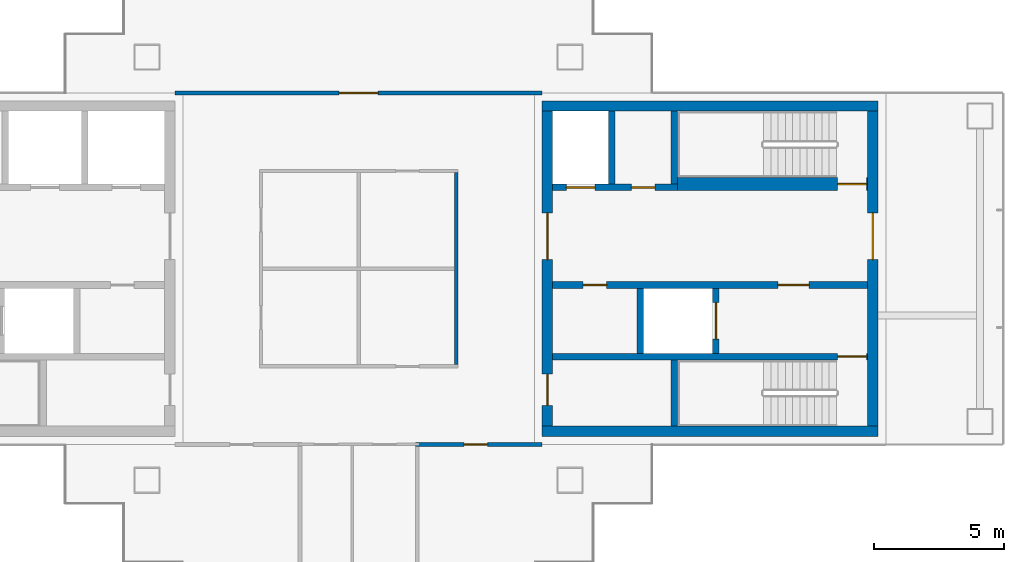
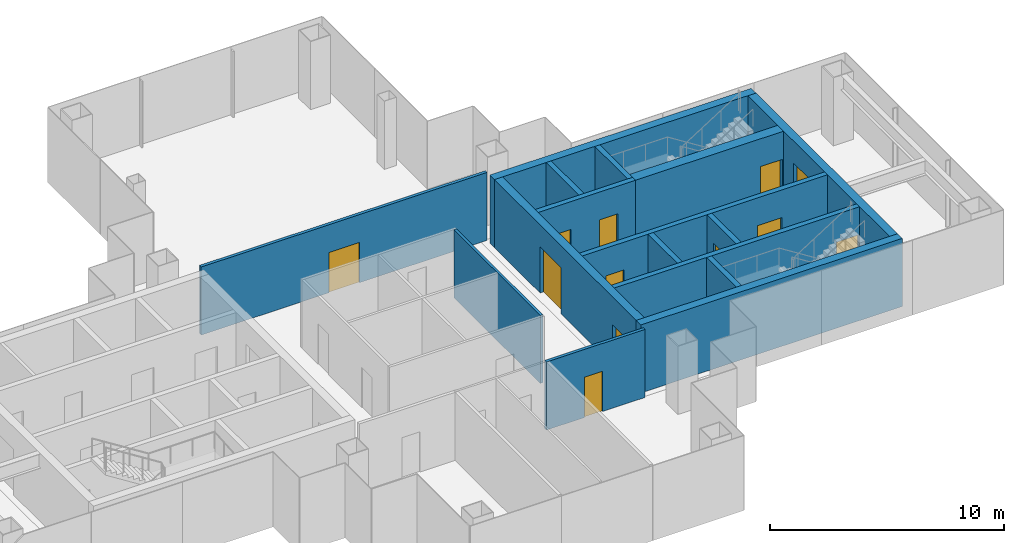
# One storey, part 11 of 15: 16 walls, 12 doors, 12 openings.
"""IFC4 building model written with IfcOpenShell, lengths in metres."""

from ifc_helpers import new_model, si_unit, direction, frame, frame_2d, origin, place, context, subcontext, project, spatial, rectangle, extrude, material, layer, layer_set, type_object, element, fill, save


model = new_model("IFC4")

# Units and contexts
model_context = context("Model", 3, precision=1e-05, world=origin(), true_north=direction((0.0, 1.0)))
body_context = subcontext(model_context, "Body", "Model", "MODEL_VIEW")
ifc_project = project(units=[si_unit("LENGTHUNIT", "METRE"), si_unit("AREAUNIT", "SQUARE_METRE"), si_unit("VOLUMEUNIT", "CUBIC_METRE"), si_unit("PLANEANGLEUNIT", "RADIAN"), si_unit("MASSUNIT", "GRAM", prefix="KILO")], contexts=[model_context])

# Site, building, storey
site_placement = place(None, origin())
site = spatial("IfcSite", under=ifc_project, at=site_placement, CompositionType="ELEMENT")
building_placement = place(site_placement, origin())
building = spatial("IfcBuilding", under=site, at=building_placement, Name="Shamsa Quay Exchange Towers", CompositionType="ELEMENT")
storey_placement = place(building_placement, frame((0.0, 0.0, 202.199951171875)))
storey = spatial("IfcBuildingStorey", under=building, at=storey_placement, Name="L48", CompositionType="ELEMENT", Elevation=202.199951171875)

# Walls
ifc_material_1 = material(Name="Concrete C60/75", Category="concrete")
ifc_layer_1 = layer(ifc_material_1, 0.39990234375)
ifc_layer_set_1 = layer_set([ifc_layer_1], Name="CORE WALL 400 C60/75")
wall_type_1 = type_object("IfcWallType", Name="CORE WALL 400 C60/75", PredefinedType="SHEAR", material=ifc_layer_set_1)
for number, where, z_axis, x_axis, name in (
    (1, (53.699951171875, -6.25, 0.0), (0.0, 0.0, 1.0), (-1.0, 0.0, 0.0), "Core wall T2B-R22-PS"),
    (2, (53.699951171875, 6.25, 0.0), (0.0, 0.0, 1.0), (-1.0, 0.0, 0.0), "Core wall T2B-R22-PN"),
):
    element("IfcWall", number, at=place(storey_placement, frame(where, z_axis=z_axis, x_axis=x_axis)), inside=storey, type_object=wall_type_1, Name=name, PredefinedType="SHEAR", context=body_context, shape_type="SweptSolid", body=[
        extrude(rectangle(XDim=12.89990234375, YDim=0.39990234375, at=frame_2d((6.449951171875, 0.0))), origin(), (0.0, 0.0, 1.0), 3.550048828125),
    ])

# Wall, opening, door
wall_1_placement = place(storey_placement, frame((53.5, -6.050048828125, 0.0), z_axis=(0.0, 0.0, 1.0), x_axis=(0.0, 1.0, 0.0)))
wall_1 = element("IfcWall", 3, at=wall_1_placement, inside=storey, type_object=wall_type_1, Name="Core wall T2B-R22-PF", PredefinedType="SHEAR", context=body_context, shape_type="SweptSolid", body=[
    extrude(rectangle(XDim=12.10009765625, YDim=0.39990234375, at=frame_2d((6.050048828125, 0.0))), origin(), (0.0, 0.0, 1.0), 3.550048828125),
])
opening_1_placement = place(wall_1_placement, frame((6.39990234375, 0.0, 0.0)))
opening_1 = element("IfcOpeningElement", 4, at=opening_1_placement, cuts=wall_1, Name="Opening T2B-R22-LBD01", PredefinedType="OPENING", context=body_context, shape_type="SweptSolid", body=[
    extrude(rectangle(XDim=1.800048828125, YDim=2.39990234375, at=frame_2d((0.89990234375, 1.199951171875))), frame((0.0, 0.2099609375, 0.0), z_axis=(0.0, -1.0, 0.0), x_axis=(1.0, 0.0, 0.0)), (0.0, 0.0, 1.0), 0.419921875),
])
ifc_material_2 = material(Name="Steel, fire rated", Category="steel")
door_type_1 = type_object("IfcDoorType", Name="LIFT LOBBY DOOR PAIR 1800", OperationType="DOUBLE_DOOR_SINGLE_SWING", PredefinedType="DOOR", material=ifc_material_2)
door_1_placement = place(opening_1_placement, origin())
door_1 = element("IfcDoor", 5, at=door_1_placement, inside=storey, type_object=door_type_1, Name="T2B-R22-LBD01", OperationType="DOUBLE_DOOR_SINGLE_SWING", OverallHeight=2.39990234375, OverallWidth=1.800048828125, PredefinedType="DOOR", context=body_context, shape_type="SweptSolid", body=[
    extrude(rectangle(XDim=1.800048828125, YDim=2.39990234375, at=frame_2d((0.89990234375, 1.199951171875))), frame((0.0, 0.02490234375, 0.0), z_axis=(0.0, -1.0, 0.0), x_axis=(1.0, 0.0, 0.0)), (0.0, 0.0, 1.0), 0.050048828125),
])
fill(opening_1, door_1)

# Wall, openings, doors
wall_2_placement = place(storey_placement, frame((41.0, -6.050048828125, 0.0), z_axis=(0.0, 0.0, 1.0), x_axis=(0.0, 1.0, 0.0)))
wall_2 = element("IfcWall", 6, at=wall_2_placement, inside=storey, type_object=wall_type_1, Name="Core wall T2B-R22-PB", PredefinedType="SHEAR", context=body_context, shape_type="SweptSolid", body=[
    extrude(rectangle(XDim=12.10009765625, YDim=0.39990234375, at=frame_2d((6.050048828125, 0.0))), origin(), (0.0, 0.0, 1.0), 3.550048828125),
])
opening_2_placement = place(wall_2_placement, frame((0.800048828125, 0.0, 0.0)))
opening_2 = element("IfcOpeningElement", 7, at=opening_2_placement, cuts=wall_2, Name="Opening T2B-R22-RD02", PredefinedType="OPENING", context=body_context, shape_type="SweptSolid", body=[
    extrude(rectangle(XDim=1.199951171875, YDim=2.10009765625, at=frame_2d((0.60009765625, 1.050048828125))), frame((0.0, 0.2099609375, 0.0), z_axis=(0.0, -1.0, 0.0), x_axis=(1.0, 0.0, 0.0)), (0.0, 0.0, 1.0), 0.419921875),
])
opening_3_placement = place(wall_2_placement, frame((6.39990234375, 0.0, 0.0)))
opening_3 = element("IfcOpeningElement", 8, at=opening_3_placement, cuts=wall_2, Name="Opening T2B-R22-LBD03", PredefinedType="OPENING", context=body_context, shape_type="SweptSolid", body=[
    extrude(rectangle(XDim=1.800048828125, YDim=2.39990234375, at=frame_2d((0.89990234375, 1.199951171875))), frame((0.0, 0.2099609375, 0.0), z_axis=(0.0, -1.0, 0.0), x_axis=(1.0, 0.0, 0.0)), (0.0, 0.0, 1.0), 0.419921875),
])
door_2_placement = place(opening_3_placement, origin())
door_2 = element("IfcDoor", 9, at=door_2_placement, inside=storey, type_object=door_type_1, Name="T2B-R22-LBD03", OperationType="DOUBLE_DOOR_SINGLE_SWING", OverallHeight=2.39990234375, OverallWidth=1.800048828125, PredefinedType="DOOR", context=body_context, shape_type="SweptSolid", body=[
    extrude(rectangle(XDim=1.800048828125, YDim=2.39990234375, at=frame_2d((0.89990234375, 1.199951171875))), frame((0.0, 0.02490234375, 0.0), z_axis=(0.0, -1.0, 0.0), x_axis=(1.0, 0.0, 0.0)), (0.0, 0.0, 1.0), 0.050048828125),
])
fill(opening_3, door_2)
door_type_2 = type_object("IfcDoorType", Name="RISER ACCESS DOOR 1200", OperationType="SINGLE_SWING_LEFT", PredefinedType="DOOR", material=ifc_material_2)
door_3_placement = place(opening_2_placement, origin())
door_3 = element("IfcDoor", 10, at=door_3_placement, inside=storey, type_object=door_type_2, Name="T2B-R22-RD02", OperationType="SINGLE_SWING_LEFT", OverallHeight=2.10009765625, OverallWidth=1.199951171875, PredefinedType="DOOR", context=body_context, shape_type="SweptSolid", body=[
    extrude(rectangle(XDim=1.199951171875, YDim=2.10009765625, at=frame_2d((0.60009765625, 1.050048828125))), frame((0.0, 0.02490234375, 0.0), z_axis=(0.0, -1.0, 0.0), x_axis=(1.0, 0.0, 0.0)), (0.0, 0.0, 1.0), 0.050048828125),
])
fill(opening_2, door_3)

# Wall
ifc_material_3 = material(Name="Laminated fire-resisting glass in a metal frame", Category="glass")
ifc_layer_2 = layer(ifc_material_3, 0.125)
ifc_layer_set_2 = layer_set([ifc_layer_2], Name="Glazed partition 125 mm EI 60")
wall_type_2 = type_object("IfcWallType", Name="Glazed partition 125 mm EI 60", PredefinedType="PARTITIONING", material=ifc_layer_set_2)
wall_3_placement = place(storey_placement, frame((37.5, -3.6875, 0.0), z_axis=(0.0, 0.0, 1.0), x_axis=(0.0, 1.0, 0.0)))
element("IfcWall", 11, at=wall_3_placement, inside=storey, type_object=wall_type_2, Name="Partition T2-R22-W04", PredefinedType="PARTITIONING", context=body_context, shape_type="SweptSolid", body=[
    extrude(rectangle(XDim=7.375, YDim=0.125, at=frame_2d((3.6875, 0.0))), origin(), (0.0, 0.0, 1.0), 3.550048828125),
])

# Wall, opening, door
ifc_material_4 = material(Name="Gypsum board partition on metal studs")
ifc_layer_3 = layer(ifc_material_4, 0.14990234375)
ifc_layer_set_3 = layer_set([ifc_layer_3], Name="Partition 150 mm EI 60")
wall_type_3 = type_object("IfcWallType", Name="Partition 150 mm EI 60", PredefinedType="PARTITIONING", material=ifc_layer_set_3)
wall_4_placement = place(storey_placement, frame((26.699951171875, 6.75, 0.0)))
wall_4 = element("IfcWall", 12, at=wall_4_placement, inside=storey, type_object=wall_type_3, Name="Partition T2-R22-W05", PredefinedType="PARTITIONING", context=body_context, shape_type="SweptSolid", body=[
    extrude(rectangle(XDim=14.10009765625, YDim=0.14990234375, at=frame_2d((7.050048828125, 0.0))), origin(), (0.0, 0.0, 1.0), 3.550048828125),
])
opening_4_placement = place(wall_4_placement, frame((6.300048828125, 0.0, 0.0)))
opening_4 = element("IfcOpeningElement", 13, at=opening_4_placement, cuts=wall_4, Name="Opening T2-R22-D01", PredefinedType="OPENING", context=body_context, shape_type="SweptSolid", body=[
    extrude(rectangle(XDim=1.5, YDim=2.10009765625, at=frame_2d((0.75, 1.050048828125))), frame((0.0, 0.0849609375, 0.0), z_axis=(0.0, -1.0, 0.0), x_axis=(1.0, 0.0, 0.0)), (0.0, 0.0, 1.0), 0.169921875),
])
ifc_material_5 = material(Name="Timber door leaf in a metal frame", Category="wood")
door_type_3 = type_object("IfcDoorType", Name="Door 1500x2100 FD30S pair", OperationType="NOTDEFINED", PredefinedType="DOOR", material=ifc_material_5)
door_4_placement = place(opening_4_placement, origin())
door_4 = element("IfcDoor", 14, at=door_4_placement, inside=storey, type_object=door_type_3, Name="Door T2-R22-D01", OperationType="DOUBLE_DOOR_SINGLE_SWING", OverallHeight=2.10009765625, OverallWidth=1.5, PredefinedType="DOOR", context=body_context, shape_type="SweptSolid", body=[
    extrude(rectangle(XDim=1.5, YDim=2.10009765625, at=frame_2d((0.75, 1.050048828125))), frame((0.0, 0.02490234375, 0.0), z_axis=(0.0, -1.0, 0.0), x_axis=(1.0, 0.0, 0.0)), (0.0, 0.0, 1.0), 0.050048828125),
])
fill(opening_4, door_4)

wall_5_placement = place(storey_placement, frame((40.800048828125, -6.75, 0.0), z_axis=(0.0, 0.0, 1.0), x_axis=(-1.0, 0.0, 0.0)))
wall_5 = element("IfcWall", 15, at=wall_5_placement, inside=storey, type_object=wall_type_3, Name="Partition T2-R22-W07", PredefinedType="PARTITIONING", context=body_context, shape_type="SweptSolid", body=[
    extrude(rectangle(XDim=4.875, YDim=0.14990234375, at=frame_2d((2.4375, 0.0))), origin(), (0.0, 0.0, 1.0), 3.550048828125),
])
opening_5_placement = place(wall_5_placement, frame((2.10009765625, 0.0, 0.0)))
opening_5 = element("IfcOpeningElement", 16, at=opening_5_placement, cuts=wall_5, Name="Opening T2-R22-D03", PredefinedType="OPENING", context=body_context, shape_type="SweptSolid", body=[
    extrude(rectangle(XDim=0.89990234375, YDim=2.10009765625, at=frame_2d((0.449951171875, 1.050048828125))), frame((0.0, 0.0849609375, 0.0), z_axis=(0.0, -1.0, 0.0), x_axis=(1.0, 0.0, 0.0)), (0.0, 0.0, 1.0), 0.169921875),
])
door_type_4 = type_object("IfcDoorType", Name="Door 900x2100 FD30S", OperationType="NOTDEFINED", PredefinedType="DOOR", material=ifc_material_5)
door_5_placement = place(opening_5_placement, origin())
door_5 = element("IfcDoor", 17, at=door_5_placement, inside=storey, type_object=door_type_4, Name="Door T2-R22-D03", OperationType="SINGLE_SWING_RIGHT", OverallHeight=2.10009765625, OverallWidth=0.89990234375, PredefinedType="DOOR", context=body_context, shape_type="SweptSolid", body=[
    extrude(rectangle(XDim=0.89990234375, YDim=2.10009765625, at=frame_2d((0.449951171875, 1.050048828125))), frame((0.0, 0.02490234375, 0.0), z_axis=(0.0, -1.0, 0.0), x_axis=(1.0, 0.0, 0.0)), (0.0, 0.0, 1.0), 0.050048828125),
])
fill(opening_5, door_5)

ifc_material_6 = material(Name="Concrete C50/60", Category="concrete")
ifc_layer_4 = layer(ifc_material_6, 0.25)
ifc_layer_set_4 = layer_set([ifc_layer_4], Name="SHAFT WALL 250 C50/60")
wall_type_4 = type_object("IfcWallType", Name="SHAFT WALL 250 C50/60", PredefinedType="SHEAR", material=ifc_layer_set_4)
wall_6_placement = place(storey_placement, frame((53.300048828125, -3.375, 0.0), z_axis=(0.0, 0.0, 1.0), x_axis=(-1.0, 0.0, 0.0)))
wall_6 = element("IfcWall", 18, at=wall_6_placement, inside=storey, type_object=wall_type_4, Name="Shaft wall T2B-R22-STL", PredefinedType="SHEAR", context=body_context, shape_type="SweptSolid", body=[
    extrude(rectangle(XDim=12.10009765625, YDim=0.25, at=frame_2d((6.050048828125, 0.0))), origin(), (0.0, 0.0, 1.0), 3.550048828125),
])
opening_6_placement = place(wall_6_placement, frame((0.050048828125, 0.0, 0.0)))
opening_6 = element("IfcOpeningElement", 19, at=opening_6_placement, cuts=wall_6, Name="Opening T2B-R22-SD04", PredefinedType="OPENING", context=body_context, shape_type="SweptSolid", body=[
    extrude(rectangle(XDim=1.10009765625, YDim=2.10009765625, at=frame_2d((0.550048828125, 1.050048828125))), frame((0.0, 0.135009765625, 0.0), z_axis=(0.0, -1.0, 0.0), x_axis=(1.0, 0.0, 0.0)), (0.0, 0.0, 1.0), 0.27001953125),
])
door_type_5 = type_object("IfcDoorType", Name="STAIR DOOR 1100", OperationType="SINGLE_SWING_LEFT", PredefinedType="DOOR", material=ifc_material_2)
door_6_placement = place(opening_6_placement, origin())
door_6 = element("IfcDoor", 20, at=door_6_placement, inside=storey, type_object=door_type_5, Name="T2B-R22-SD04", OperationType="SINGLE_SWING_LEFT", OverallHeight=2.10009765625, OverallWidth=1.10009765625, PredefinedType="DOOR", context=body_context, shape_type="SweptSolid", body=[
    extrude(rectangle(XDim=1.10009765625, YDim=2.10009765625, at=frame_2d((0.550048828125, 1.050048828125))), frame((0.0, 0.02490234375, 0.0), z_axis=(0.0, -1.0, 0.0), x_axis=(1.0, 0.0, 0.0)), (0.0, 0.0, 1.0), 0.050048828125),
])
fill(opening_6, door_6)

# Wall
wall_7_placement = place(storey_placement, frame((45.875, -6.050048828125, 0.0), z_axis=(0.0, 0.0, 1.0), x_axis=(0.0, 1.0, 0.0)))
element("IfcWall", 21, at=wall_7_placement, inside=storey, type_object=wall_type_4, Name="Shaft wall T2B-R22-STF", PredefinedType="SHEAR", context=body_context, shape_type="SweptSolid", body=[
    extrude(rectangle(XDim=2.550048828125, YDim=0.25, at=frame_2d((1.27490234375, 0.0))), origin(), (0.0, 0.0, 1.0), 3.550048828125),
])

# Wall, openings, doors
wall_8_placement = place(storey_placement, frame((53.300048828125, -0.625, 0.0), z_axis=(0.0, 0.0, 1.0), x_axis=(-1.0, 0.0, 0.0)))
wall_8 = element("IfcWall", 22, at=wall_8_placement, inside=storey, type_object=wall_type_4, Name="Shaft wall T2B-R22-B", PredefinedType="SHEAR", context=body_context, shape_type="SweptSolid", body=[
    extrude(rectangle(XDim=12.10009765625, YDim=0.25, at=frame_2d((6.050048828125, 0.0))), origin(), (0.0, 0.0, 1.0), 3.550048828125),
])
opening_7_placement = place(wall_8_placement, frame((2.25, 0.0, 0.0)))
opening_7 = element("IfcOpeningElement", 23, at=opening_7_placement, cuts=wall_8, Name="Opening T2B-R22-FD05", PredefinedType="OPENING", context=body_context, shape_type="SweptSolid", body=[
    extrude(rectangle(XDim=1.199951171875, YDim=2.10009765625, at=frame_2d((0.60009765625, 1.050048828125))), frame((0.0, 0.135009765625, 0.0), z_axis=(0.0, -1.0, 0.0), x_axis=(1.0, 0.0, 0.0)), (0.0, 0.0, 1.0), 0.27001953125),
])
opening_8_placement = place(wall_8_placement, frame((10.02490234375, 0.0, 0.0)))
opening_8 = element("IfcOpeningElement", 24, at=opening_8_placement, cuts=wall_8, Name="Opening T2B-R22-SV06", PredefinedType="OPENING", context=body_context, shape_type="SweptSolid", body=[
    extrude(rectangle(XDim=0.89990234375, YDim=2.10009765625, at=frame_2d((0.449951171875, 1.050048828125))), frame((0.0, 0.135009765625, 0.0), z_axis=(0.0, -1.0, 0.0), x_axis=(1.0, 0.0, 0.0)), (0.0, 0.0, 1.0), 0.27001953125),
])
door_type_6 = type_object("IfcDoorType", Name="FIRE SERVICE LOBBY DOOR 1200", OperationType="SINGLE_SWING_LEFT", PredefinedType="DOOR", material=ifc_material_2)
door_7_placement = place(opening_7_placement, origin())
door_7 = element("IfcDoor", 25, at=door_7_placement, inside=storey, type_object=door_type_6, Name="T2B-R22-FD05", OperationType="SINGLE_SWING_LEFT", OverallHeight=2.10009765625, OverallWidth=1.199951171875, PredefinedType="DOOR", context=body_context, shape_type="SweptSolid", body=[
    extrude(rectangle(XDim=1.199951171875, YDim=2.10009765625, at=frame_2d((0.60009765625, 1.050048828125))), frame((0.0, 0.02490234375, 0.0), z_axis=(0.0, -1.0, 0.0), x_axis=(1.0, 0.0, 0.0)), (0.0, 0.0, 1.0), 0.050048828125),
])
fill(opening_7, door_7)
door_type_7 = type_object("IfcDoorType", Name="SERVICE ROOM DOOR 900", OperationType="SINGLE_SWING_LEFT", PredefinedType="DOOR", material=ifc_material_2)
door_8_placement = place(opening_8_placement, origin())
door_8 = element("IfcDoor", 26, at=door_8_placement, inside=storey, type_object=door_type_7, Name="T2B-R22-SV06", OperationType="SINGLE_SWING_RIGHT", OverallHeight=2.10009765625, OverallWidth=0.89990234375, PredefinedType="DOOR", context=body_context, shape_type="SweptSolid", body=[
    extrude(rectangle(XDim=0.89990234375, YDim=2.10009765625, at=frame_2d((0.449951171875, 1.050048828125))), frame((0.0, 0.02490234375, 0.0), z_axis=(0.0, -1.0, 0.0), x_axis=(1.0, 0.0, 0.0)), (0.0, 0.0, 1.0), 0.050048828125),
])
fill(opening_8, door_8)

# Wall, opening, door
wall_9_placement = place(storey_placement, frame((47.47509765625, -3.25, 0.0), z_axis=(0.0, 0.0, 1.0), x_axis=(0.0, 1.0, 0.0)))
wall_9 = element("IfcWall", 27, at=wall_9_placement, inside=storey, type_object=wall_type_4, Name="Shaft wall T2B-R22-FFF", PredefinedType="SHEAR", context=body_context, shape_type="SweptSolid", body=[
    extrude(rectangle(XDim=2.5, YDim=0.25, at=frame_2d((1.25, 0.0))), origin(), (0.0, 0.0, 1.0), 3.550048828125),
])
opening_9_placement = place(wall_9_placement, frame((0.550048828125, 0.0, 0.0)))
opening_9 = element("IfcOpeningElement", 28, at=opening_9_placement, cuts=wall_9, Name="Opening T2B-R22-LDG07", PredefinedType="OPENING", context=body_context, shape_type="SweptSolid", body=[
    extrude(rectangle(XDim=1.39990234375, YDim=2.39990234375, at=frame_2d((0.699951171875, 1.199951171875))), frame((0.0, 0.135009765625, 0.0), z_axis=(0.0, -1.0, 0.0), x_axis=(1.0, 0.0, 0.0)), (0.0, 0.0, 1.0), 0.27001953125),
])
door_type_8 = type_object("IfcDoorType", Name="GOODS LIFT LANDING DOOR 1400", OperationType="SLIDING_TO_LEFT", PredefinedType="DOOR", material=ifc_material_2)
door_9_placement = place(opening_9_placement, origin())
door_9 = element("IfcDoor", 29, at=door_9_placement, inside=storey, type_object=door_type_8, Name="T2B-R22-LDG07", OperationType="SLIDING_TO_LEFT", OverallHeight=2.39990234375, OverallWidth=1.39990234375, PredefinedType="DOOR", context=body_context, shape_type="SweptSolid", body=[
    extrude(rectangle(XDim=1.39990234375, YDim=2.39990234375, at=frame_2d((0.699951171875, 1.199951171875))), frame((0.0, 0.02490234375, 0.0), z_axis=(0.0, -1.0, 0.0), x_axis=(1.0, 0.0, 0.0)), (0.0, 0.0, 1.0), 0.050048828125),
])
fill(opening_9, door_9)

# Wall
wall_10_placement = place(storey_placement, frame((44.574951171875, -3.25, 0.0), z_axis=(0.0, 0.0, 1.0), x_axis=(0.0, 1.0, 0.0)))
element("IfcWall", 30, at=wall_10_placement, inside=storey, type_object=wall_type_4, Name="Shaft wall T2B-R22-FFB", PredefinedType="SHEAR", context=body_context, shape_type="SweptSolid", body=[
    extrude(rectangle(XDim=2.5, YDim=0.25, at=frame_2d((1.25, 0.0))), origin(), (0.0, 0.0, 1.0), 3.550048828125),
])

# Wall, openings, doors
wall_11_placement = place(storey_placement, frame((41.199951171875, 3.125, 0.0)))
wall_11 = element("IfcWall", 31, at=wall_11_placement, inside=storey, type_object=wall_type_4, Name="Shaft wall T2B-R22-N2", PredefinedType="SHEAR", context=body_context, shape_type="SweptSolid", body=[
    extrude(rectangle(XDim=4.800048828125, YDim=0.25, at=frame_2d((2.39990234375, 0.0))), origin(), (0.0, 0.0, 1.0), 3.550048828125),
])
opening_10_placement = place(wall_11_placement, frame((0.52490234375, 0.0, 0.0)))
opening_10 = element("IfcOpeningElement", 32, at=opening_10_placement, cuts=wall_11, Name="Opening T2B-R22-LD09", PredefinedType="OPENING", context=body_context, shape_type="SweptSolid", body=[
    extrude(rectangle(XDim=1.10009765625, YDim=2.10009765625, at=frame_2d((0.550048828125, 1.050048828125))), frame((0.0, 0.135009765625, 0.0), z_axis=(0.0, -1.0, 0.0), x_axis=(1.0, 0.0, 0.0)), (0.0, 0.0, 1.0), 0.27001953125),
])
opening_11_placement = place(wall_11_placement, frame((3.02490234375, 0.0, 0.0)))
opening_11 = element("IfcOpeningElement", 33, at=opening_11_placement, cuts=wall_11, Name="Opening T2B-R22-SV10", PredefinedType="OPENING", context=body_context, shape_type="SweptSolid", body=[
    extrude(rectangle(XDim=0.89990234375, YDim=2.10009765625, at=frame_2d((0.449951171875, 1.050048828125))), frame((0.0, 0.135009765625, 0.0), z_axis=(0.0, -1.0, 0.0), x_axis=(1.0, 0.0, 0.0)), (0.0, 0.0, 1.0), 0.27001953125),
])
door_type_9 = type_object("IfcDoorType", Name="LANDING DOOR 1100", OperationType="SLIDING_TO_LEFT", PredefinedType="DOOR", material=ifc_material_2)
door_10_placement = place(opening_10_placement, origin())
door_10 = element("IfcDoor", 34, at=door_10_placement, inside=storey, type_object=door_type_9, Name="T2B-R22-LD09", OperationType="SLIDING_TO_LEFT", OverallHeight=2.10009765625, OverallWidth=1.10009765625, PredefinedType="DOOR", context=body_context, shape_type="SweptSolid", body=[
    extrude(rectangle(XDim=1.10009765625, YDim=2.10009765625, at=frame_2d((0.550048828125, 1.050048828125))), frame((0.0, 0.02490234375, 0.0), z_axis=(0.0, -1.0, 0.0), x_axis=(1.0, 0.0, 0.0)), (0.0, 0.0, 1.0), 0.050048828125),
])
fill(opening_10, door_10)
door_11_placement = place(opening_11_placement, origin())
door_11 = element("IfcDoor", 35, at=door_11_placement, inside=storey, type_object=door_type_7, Name="T2B-R22-SV10", OperationType="SINGLE_SWING_RIGHT", OverallHeight=2.10009765625, OverallWidth=0.89990234375, PredefinedType="DOOR", context=body_context, shape_type="SweptSolid", body=[
    extrude(rectangle(XDim=0.89990234375, YDim=2.10009765625, at=frame_2d((0.449951171875, 1.050048828125))), frame((0.0, 0.02490234375, 0.0), z_axis=(0.0, -1.0, 0.0), x_axis=(1.0, 0.0, 0.0)), (0.0, 0.0, 1.0), 0.050048828125),
])
fill(opening_11, door_11)

# Walls
for number, where, z_axis, x_axis, name in (
    (36, (45.875, 3.25, 0.0), (0.0, 0.0, 1.0), (0.0, 1.0, 0.0), "Shaft wall T2B-R22-STF2"),
    (37, (43.47509765625, 3.25, 0.0), (0.0, 0.0, 1.0), (0.0, 1.0, 0.0), "Shaft wall T2B-R22-D0"),
):
    element("IfcWall", number, at=place(storey_placement, frame(where, z_axis=z_axis, x_axis=x_axis)), inside=storey, type_object=wall_type_4, Name=name, PredefinedType="SHEAR", context=body_context, shape_type="SweptSolid", body=[
        extrude(rectangle(XDim=2.800048828125, YDim=0.25, at=frame_2d((1.39990234375, 0.0))), origin(), (0.0, 0.0, 1.0), 3.550048828125),
    ])

# Wall, opening, door
ifc_layer_5 = layer(ifc_material_6, 0.5)
ifc_layer_set_5 = layer_set([ifc_layer_5], Name="SHAFT WALL 500 C50/60")
wall_type_5 = type_object("IfcWallType", Name="SHAFT WALL 500 C50/60", PredefinedType="SHEAR", material=ifc_layer_set_5)
wall_12_placement = place(storey_placement, frame((46.0, 3.25, 0.0)))
wall_12 = element("IfcWall", 38, at=wall_12_placement, inside=storey, type_object=wall_type_5, Name="Shaft wall T2B-R22-N", PredefinedType="SHEAR", context=body_context, shape_type="SweptSolid", body=[
    extrude(rectangle(XDim=7.300048828125, YDim=0.5, at=frame_2d((3.64990234375, 0.0))), origin(), (0.0, 0.0, 1.0), 3.550048828125),
])
opening_12_placement = place(wall_12_placement, frame((6.14990234375, 0.0, 0.0)))
opening_12 = element("IfcOpeningElement", 39, at=opening_12_placement, cuts=wall_12, Name="Opening T2B-R22-SD08", PredefinedType="OPENING", context=body_context, shape_type="SweptSolid", body=[
    extrude(rectangle(XDim=1.10009765625, YDim=2.10009765625, at=frame_2d((0.550048828125, 1.050048828125))), frame((0.0, 0.260009765625, 0.0), z_axis=(0.0, -1.0, 0.0), x_axis=(1.0, 0.0, 0.0)), (0.0, 0.0, 1.0), 0.52001953125),
])
door_12_placement = place(opening_12_placement, origin())
door_12 = element("IfcDoor", 40, at=door_12_placement, inside=storey, type_object=door_type_5, Name="T2B-R22-SD08", OperationType="SINGLE_SWING_RIGHT", OverallHeight=2.10009765625, OverallWidth=1.10009765625, PredefinedType="DOOR", context=body_context, shape_type="SweptSolid", body=[
    extrude(rectangle(XDim=1.10009765625, YDim=2.10009765625, at=frame_2d((0.550048828125, 1.050048828125))), frame((0.0, 0.02490234375, 0.0), z_axis=(0.0, -1.0, 0.0), x_axis=(1.0, 0.0, 0.0)), (0.0, 0.0, 1.0), 0.050048828125),
])
fill(opening_12, door_12)

save(model, "model.ifc")
